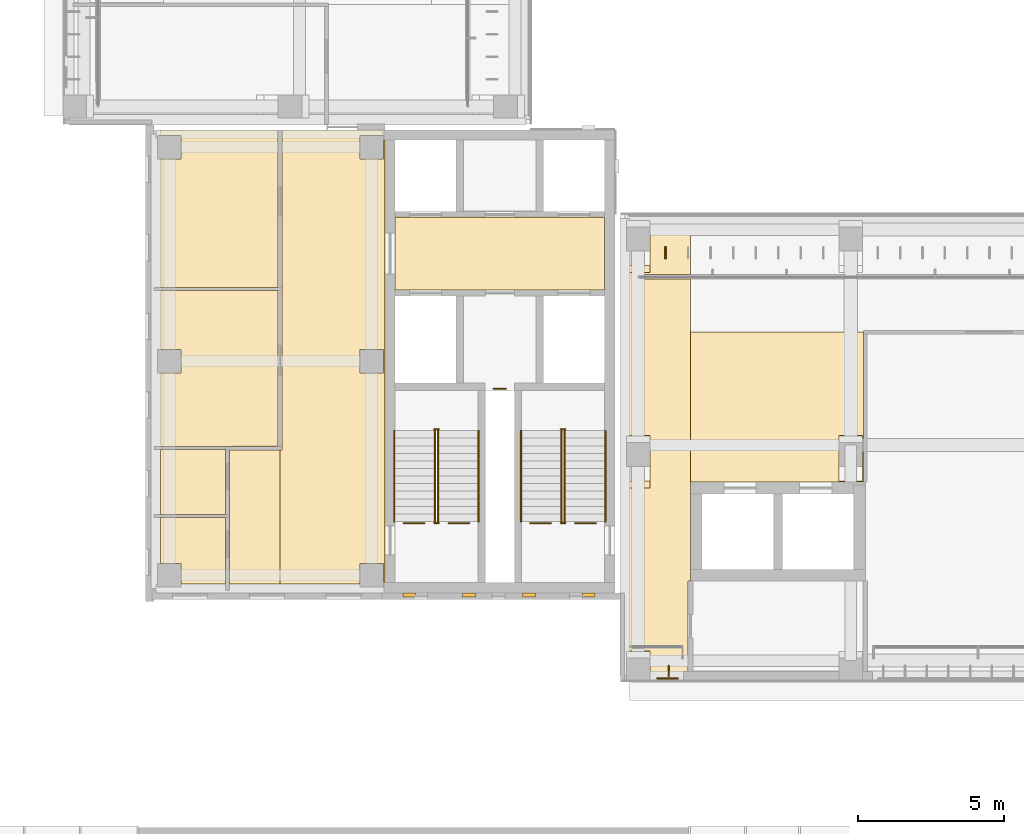
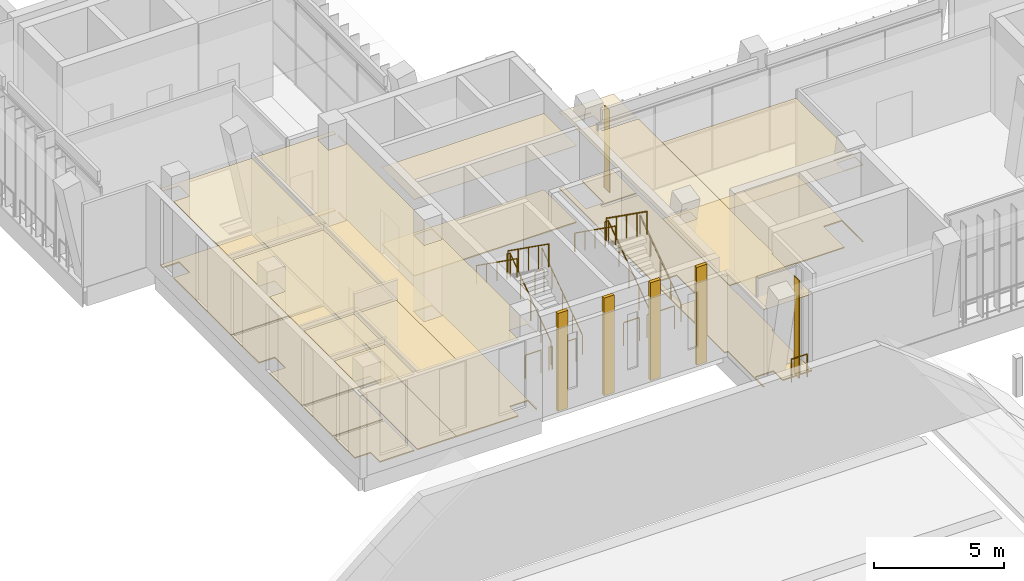
# One storey, part 70 of 89: 22 coverings, 18 railings, 2 shading devices.
"""IFC4 building model written with IfcOpenShell, lengths in metres."""

from ifc_helpers import new_model, si_unit, direction, frame, frame_2d, origin, origin_2d, place, context, subcontext, project, spatial, polyline, rectangle, circle, outline, extrude, material, layer, layer_set, type_object, element, save


model = new_model("IFC4")

# Units and contexts
model_context = context("Model", 3, precision=1e-05, world=origin(), true_north=direction((0.0, 1.0)))
body_context = subcontext(model_context, "Body", "Model", "MODEL_VIEW")
ifc_project = project(units=[si_unit("LENGTHUNIT", "METRE"), si_unit("AREAUNIT", "SQUARE_METRE"), si_unit("VOLUMEUNIT", "CUBIC_METRE"), si_unit("PLANEANGLEUNIT", "RADIAN"), si_unit("MASSUNIT", "GRAM", prefix="KILO")], contexts=[model_context])

# Site, building, storey
site_placement = place(None, origin())
site = spatial("IfcSite", under=ifc_project, at=site_placement, CompositionType="ELEMENT")
building_placement = place(site_placement, origin())
building = spatial("IfcBuilding", under=site, at=building_placement, Name="Lantern Court Media Centre", CompositionType="ELEMENT")
storey_placement = place(building_placement, frame((0.0, 0.0, 14.39990234375)))
storey = spatial("IfcBuildingStorey", under=building, at=storey_placement, Name="L03", CompositionType="ELEMENT", Elevation=14.39990234375)

# Coverings
ifc_material_1 = material(Name="Carpet")
ifc_layer_1 = layer(ifc_material_1, 0.050048828125)
ifc_layer_set_1 = layer_set([ifc_layer_1], Name="Carpet")
covering_type_1 = type_object("IfcCoveringType", Name="Carpet floor finish", PredefinedType="FLOORING", material=ifc_layer_set_1)
covering_1_placement = place(storey_placement, origin())
element("IfcCovering", 1, at=covering_1_placement, inside=storey, type_object=covering_type_1, Name="Media Library Reading Room 05 floor finish", PredefinedType="FLOORING", context=body_context, shape_type="SweptSolid", body=[
    extrude(outline(polyline([(8.300048828125, 58.381103515625), (12.33251953125, 58.381103515625), (12.33251953125, 53.03955078125), (8.300048828125, 53.027099609375), (8.300048828125, 55.544921875), (9.0048828125, 55.550048828125), (9.00390625, 56.353271484375), (8.300048828125, 56.35498046875), (8.300048828125, 58.381103515625)])), origin(), (0.0, 0.0, 1.0), 0.050048828125),
])
covering_2_placement = place(storey_placement, origin())
element("IfcCovering", 2, at=covering_2_placement, inside=storey, type_object=covering_type_1, Name="Media Library Reading Room 06 floor finish", PredefinedType="FLOORING", context=body_context, shape_type="SweptSolid", body=[
    extrude(outline(polyline([(8.300048828125, 63.89990234375), (12.33251953125, 63.89990234375), (12.33251953125, 58.490966796875), (8.300048828125, 58.490966796875), (8.300048828125, 62.89501953125), (9.0048828125, 62.89990234375), (9.004150390625, 63.702880859375), (8.300048828125, 63.705078125), (8.300048828125, 63.89990234375)])), origin(), (0.0, 0.0, 1.0), 0.050048828125),
])
covering_3_placement = place(storey_placement, origin())
element("IfcCovering", 3, at=covering_3_placement, inside=storey, type_object=covering_type_1, Name="WC Male floor finish", PredefinedType="FLOORING", context=body_context, shape_type="SweptSolid", body=[
    extrude(outline(polyline([(8.300048828125, 50.5810546875), (10.532470703125, 50.5810546875), (10.532470703125, 48.300048828125), (9.0048828125, 48.300048828125), (9.00341796875, 49.00341796875), (8.300048828125, 49.0048828125), (8.300048828125, 50.5810546875)])), origin(), (0.0, 0.0, 1.0), 0.050048828125),
])
covering_4_placement = place(storey_placement, origin())
element("IfcCovering", 4, at=covering_4_placement, inside=storey, type_object=covering_type_1, Name="WC Female floor finish", PredefinedType="FLOORING", context=body_context, shape_type="SweptSolid", body=[
    extrude(outline(polyline([(8.300048828125, 52.9169921875), (10.532470703125, 52.9169921875), (10.532470703125, 50.69091796875), (8.300048828125, 50.69091796875), (8.300048828125, 52.9169921875)])), origin(), (0.0, 0.0, 1.0), 0.050048828125),
])

# Railings
ifc_material_2 = material(Name="Powder-coated steel", Category="steel")
railing_type_1 = type_object("IfcRailingType", Name="Floor edge guard 1100", PredefinedType="GUARDRAIL", material=ifc_material_2)
railing_1_placement = place(storey_placement, frame((18.89990234375, 50.390380859375, 0.0)))
element("IfcRailing", 5, at=railing_1_placement, inside=storey, type_object=railing_type_1, Name="L03 opening guard 82", PredefinedType="GUARDRAIL", context=body_context, shape_type="SweptSolid", body=[
    extrude(circle(Radius=0.02392578125, at=origin_2d()), frame((0.0, 0.0, 1.076171875), z_axis=(-1.0, 0.0, 0.0), x_axis=(0.0, -1.0, 0.0)), (0.0, 0.0, 1.0), 0.70361328125),
    extrude(circle(Radius=0.02099609375, at=origin_2d()), origin(), (0.0, 0.0, 1.0), 1.052001953125),
    extrude(circle(Radius=0.02099609375, at=origin_2d()), frame((-0.70361328125, 0.0, 0.0)), (0.0, 0.0, 1.0), 1.052001953125),
])
railing_2_placement = place(storey_placement, frame((17.353759765625, 50.390380859375, 0.0)))
element("IfcRailing", 6, at=railing_2_placement, inside=storey, type_object=railing_type_1, Name="L03 opening guard 83", PredefinedType="GUARDRAIL", context=body_context, shape_type="SweptSolid", body=[
    extrude(circle(Radius=0.02392578125, at=origin_2d()), frame((0.0, 0.0, 1.076171875), z_axis=(-1.0, 0.0, 0.0), x_axis=(0.0, -1.0, 0.0)), (0.0, 0.0, 1.0), 0.703857421875),
    extrude(circle(Radius=0.02099609375, at=origin_2d()), origin(), (0.0, 0.0, 1.0), 1.052001953125),
    extrude(circle(Radius=0.02099609375, at=origin_2d()), frame((-0.703857421875, 0.0, 0.0)), (0.0, 0.0, 1.0), 1.052001953125),
])
for number, where, name in (
    (7, (23.25, 50.390380859375, 0.0), "L03 opening guard 84"),
    (8, (21.70361328125, 50.390380859375, 0.0), "L03 opening guard 85"),
):
    element("IfcRailing", number, at=place(storey_placement, frame(where)), inside=storey, type_object=railing_type_1, Name=name, PredefinedType="GUARDRAIL", context=body_context, shape_type="SweptSolid", body=[
        extrude(circle(Radius=0.02392578125, at=origin_2d()), frame((0.0, 0.0, 1.076171875), z_axis=(-1.0, 0.0, 0.0), x_axis=(0.0, -1.0, 0.0)), (0.0, 0.0, 1.0), 0.70361328125),
        extrude(circle(Radius=0.02099609375, at=origin_2d()), origin(), (0.0, 0.0, 1.0), 1.052001953125),
        extrude(circle(Radius=0.02099609375, at=origin_2d()), frame((-0.70361328125, 0.0, 0.0)), (0.0, 0.0, 1.0), 1.052001953125),
    ])
railing_3_placement = place(storey_placement, frame((20.14990234375, 55.010009765625, 0.0)))
element("IfcRailing", 9, at=railing_3_placement, inside=storey, type_object=railing_type_1, Name="L03 opening guard 86", PredefinedType="GUARDRAIL", context=body_context, shape_type="SweptSolid", body=[
    extrude(circle(Radius=0.02392578125, at=origin_2d()), frame((0.0, 0.0, 1.076171875), z_axis=(-1.0, 0.0, 0.0), x_axis=(0.0, -1.0, 0.0)), (0.0, 0.0, 1.0), 0.39990234375),
    extrude(circle(Radius=0.02099609375, at=origin_2d()), origin(), (0.0, 0.0, 1.0), 1.052001953125),
    extrude(circle(Radius=0.02099609375, at=origin_2d()), frame((-0.39990234375, 0.0, 0.0)), (0.0, 0.0, 1.0), 1.052001953125),
])
railing_4_placement = place(storey_placement, frame((26.05908203125, 45.06005859375, 0.0)))
element("IfcRailing", 10, at=railing_4_placement, inside=storey, type_object=railing_type_1, Name="L03 edge guard 83", PredefinedType="GUARDRAIL", context=body_context, shape_type="SweptSolid", body=[
    extrude(circle(Radius=0.02392578125, at=origin_2d()), frame((0.0, 0.0, 1.076171875), z_axis=(-1.0, 0.0, 0.0), x_axis=(0.0, -1.0, 0.0)), (0.0, 0.0, 1.0), 0.7001953125),
    extrude(circle(Radius=0.02099609375, at=origin_2d()), origin(), (0.0, 0.0, 1.0), 1.052001953125),
    extrude(circle(Radius=0.02099609375, at=origin_2d()), frame((-0.7001953125, 0.0, 0.0)), (0.0, 0.0, 1.0), 1.052001953125),
])

# Coverings
ifc_material_3 = material(Name="Honed limestone cladding", Category="masonry")
ifc_layer_2 = layer(ifc_material_3, 0.14990234375)
ifc_layer_set_2 = layer_set([ifc_layer_2], Name="Honed limestone cladding")
covering_type_2 = type_object("IfcCoveringType", Name="Limestone pilaster cladding 150", PredefinedType="CLADDING", material=ifc_layer_set_2)
for number, where, z_axis, x_axis, name in (
    (11, (16.625, 47.925048828125, 0.0), (0.0, 0.0, 1.0), (1.0, 0.0, 0.0), "Limestone pilaster rib"),
    (12, (18.675048828125, 47.925048828125, 0.0), (0.0, 0.0, 1.0), (1.0, 0.0, 0.0), "Limestone pilaster rib"),
    (13, (20.72509765625, 47.925048828125, 0.0), (0.0, 0.0, 1.0), (1.0, 0.0, 0.0), "Limestone pilaster rib"),
):
    element("IfcCovering", number, at=place(storey_placement, frame(where, z_axis=z_axis, x_axis=x_axis)), inside=storey, type_object=covering_type_2, Name=name, PredefinedType="CLADDING", context=body_context, shape_type="SweptSolid", body=[
        extrude(rectangle(XDim=0.449951171875, YDim=0.14990234375, at=frame_2d((0.22509765625, 0.0))), origin(), (0.0, 0.0, 1.0), 4.580078125),
    ])
covering_5_placement = place(storey_placement, frame((22.77490234375, 47.925048828125, 0.0), z_axis=(0.0, 0.0, 1.0), x_axis=(1.0, 0.0, 0.0)))
element("IfcCovering", 14, at=covering_5_placement, inside=storey, type_object=covering_type_2, Name="Limestone pilaster rib", PredefinedType="CLADDING", context=body_context, shape_type="SweptSolid", body=[
    extrude(rectangle(XDim=0.4501953125, YDim=0.14990234375, at=frame_2d((0.22509765625, 0.0))), origin(), (0.0, 0.0, 1.0), 4.580078125),
])

# Railings
railing_type_2 = type_object("IfcRailingType", Name="Stair guard 1100", PredefinedType="GUARDRAIL", material=ifc_material_2)
railing_5_placement = place(storey_placement, frame((17.825927734375, 50.449951171875, 0.184814453125)))
element("IfcRailing", 15, at=railing_5_placement, inside=storey, type_object=railing_type_2, Name="L03 ST-SWA stair guard 1", PredefinedType="GUARDRAIL", context=body_context, shape_type="SweptSolid", body=[
    extrude(circle(Radius=0.02392578125, at=origin_2d()), frame((0.0, 0.0, 1.076171875), z_axis=(0.0, 0.815376961211, 0.578930402662), x_axis=(-1.0, 0.0, 0.0)), (0.0, 0.0, 1.0), 3.82666015625),
    extrude(circle(Radius=0.02099609375, at=origin_2d()), origin(), (0.0, 0.0, 1.0), 1.052001953125),
    extrude(circle(Radius=0.02099609375, at=origin_2d()), frame((0.0, 0.780029296875, 0.5537109375)), (0.0, 0.0, 1.0), 1.052001953125),
    extrude(circle(Radius=0.02099609375, at=origin_2d()), frame((0.0, 1.56005859375, 1.107666015625)), (0.0, 0.0, 1.0), 1.052001953125),
    extrude(circle(Radius=0.02099609375, at=origin_2d()), frame((0.0, 2.340087890625, 1.66162109375)), (0.0, 0.0, 1.0), 1.052001953125),
    extrude(circle(Radius=0.02099609375, at=origin_2d()), frame((0.0, 3.1201171875, 2.21533203125)), (0.0, 0.0, 1.0), 1.052001953125),
])
railing_6_placement = place(storey_placement, frame((17.85009765625, 53.6201171875, 2.400146484375)))
element("IfcRailing", 16, at=railing_6_placement, inside=storey, type_object=railing_type_2, Name="L03 ST-SWA stair guard 2", PredefinedType="GUARDRAIL", context=body_context, shape_type="SweptSolid", body=[
    extrude(circle(Radius=0.02392578125, at=origin_2d()), frame((0.0, 0.0, 1.076171875), z_axis=(-1.0, 0.0, 0.0), x_axis=(0.0, -1.0, 0.0)), (0.0, 0.0, 1.0), 0.150146484375),
    extrude(circle(Radius=0.02099609375, at=origin_2d()), origin(), (0.0, 0.0, 1.0), 1.052001953125),
    extrude(circle(Radius=0.02099609375, at=origin_2d()), frame((-0.150146484375, 0.0, 0.0)), (0.0, 0.0, 1.0), 1.052001953125),
])
railing_7_placement = place(storey_placement, frame((17.72412109375, 53.570068359375, 2.584716796875)))
element("IfcRailing", 17, at=railing_7_placement, inside=storey, type_object=railing_type_2, Name="L03 ST-SWA stair guard 3", PredefinedType="GUARDRAIL", context=body_context, shape_type="SweptSolid", body=[
    extrude(circle(Radius=0.02392578125, at=origin_2d()), frame((0.0, 0.0, 1.076171875), z_axis=(0.0, -0.815376961211, 0.578930402662), x_axis=(1.0, 0.0, 0.0)), (0.0, 0.0, 1.0), 3.82666015625),
    extrude(circle(Radius=0.02099609375, at=origin_2d()), origin(), (0.0, 0.0, 1.0), 1.052001953125),
    extrude(circle(Radius=0.02099609375, at=origin_2d()), frame((0.0, -0.780029296875, 0.5537109375)), (0.0, 0.0, 1.0), 1.052001953125),
    extrude(circle(Radius=0.02099609375, at=origin_2d()), frame((0.0, -1.56005859375, 1.107666015625)), (0.0, 0.0, 1.0), 1.052001953125),
    extrude(circle(Radius=0.02099609375, at=origin_2d()), frame((0.0, -2.340087890625, 1.66162109375)), (0.0, 0.0, 1.0), 1.052001953125),
    extrude(circle(Radius=0.02099609375, at=origin_2d()), frame((0.0, -3.1201171875, 2.21533203125)), (0.0, 0.0, 1.0), 1.052001953125),
])
railing_8_placement = place(storey_placement, frame((17.85009765625, 50.39990234375, 0.0)))
element("IfcRailing", 18, at=railing_8_placement, inside=storey, type_object=railing_type_2, Name="L03 ST-SWA stair guard 4", PredefinedType="GUARDRAIL", context=body_context, shape_type="SweptSolid", body=[
    extrude(circle(Radius=0.02392578125, at=origin_2d()), frame((0.0, 0.0, 1.076171875), z_axis=(-1.0, 0.0, 0.0), x_axis=(0.0, -1.0, 0.0)), (0.0, 0.0, 1.0), 0.150146484375),
    extrude(circle(Radius=0.02099609375, at=origin_2d()), origin(), (0.0, 0.0, 1.0), 1.052001953125),
    extrude(circle(Radius=0.02099609375, at=origin_2d()), frame((-0.150146484375, 0.0, 0.0)), (0.0, 0.0, 1.0), 1.052001953125),
])
railing_9_placement = place(storey_placement, frame((22.176025390625, 50.449951171875, 0.184814453125)))
element("IfcRailing", 19, at=railing_9_placement, inside=storey, type_object=railing_type_2, Name="L03 ST-SWB stair guard 1", PredefinedType="GUARDRAIL", context=body_context, shape_type="SweptSolid", body=[
    extrude(circle(Radius=0.02392578125, at=origin_2d()), frame((0.0, 0.0, 1.076171875), z_axis=(0.0, 0.815376961211, 0.578930402662), x_axis=(-1.0, 0.0, 0.0)), (0.0, 0.0, 1.0), 3.82666015625),
    extrude(circle(Radius=0.02099609375, at=origin_2d()), origin(), (0.0, 0.0, 1.0), 1.052001953125),
    extrude(circle(Radius=0.02099609375, at=origin_2d()), frame((0.0, 0.780029296875, 0.5537109375)), (0.0, 0.0, 1.0), 1.052001953125),
    extrude(circle(Radius=0.02099609375, at=origin_2d()), frame((0.0, 1.56005859375, 1.107666015625)), (0.0, 0.0, 1.0), 1.052001953125),
    extrude(circle(Radius=0.02099609375, at=origin_2d()), frame((0.0, 2.340087890625, 1.66162109375)), (0.0, 0.0, 1.0), 1.052001953125),
    extrude(circle(Radius=0.02099609375, at=origin_2d()), frame((0.0, 3.1201171875, 2.21533203125)), (0.0, 0.0, 1.0), 1.052001953125),
])
railing_10_placement = place(storey_placement, frame((22.199951171875, 53.6201171875, 2.400146484375)))
element("IfcRailing", 20, at=railing_10_placement, inside=storey, type_object=railing_type_2, Name="L03 ST-SWB stair guard 2", PredefinedType="GUARDRAIL", context=body_context, shape_type="SweptSolid", body=[
    extrude(circle(Radius=0.02392578125, at=origin_2d()), frame((0.0, 0.0, 1.076171875), z_axis=(-1.0, 0.0, 0.0), x_axis=(0.0, -1.0, 0.0)), (0.0, 0.0, 1.0), 0.14990234375),
    extrude(circle(Radius=0.02099609375, at=origin_2d()), origin(), (0.0, 0.0, 1.0), 1.052001953125),
    extrude(circle(Radius=0.02099609375, at=origin_2d()), frame((-0.14990234375, 0.0, 0.0)), (0.0, 0.0, 1.0), 1.052001953125),
])
railing_11_placement = place(storey_placement, frame((22.073974609375, 53.570068359375, 2.584716796875)))
element("IfcRailing", 21, at=railing_11_placement, inside=storey, type_object=railing_type_2, Name="L03 ST-SWB stair guard 3", PredefinedType="GUARDRAIL", context=body_context, shape_type="SweptSolid", body=[
    extrude(circle(Radius=0.02392578125, at=origin_2d()), frame((0.0, 0.0, 1.076171875), z_axis=(0.0, -0.815376961211, 0.578930402662), x_axis=(1.0, 0.0, 0.0)), (0.0, 0.0, 1.0), 3.82666015625),
    extrude(circle(Radius=0.02099609375, at=origin_2d()), origin(), (0.0, 0.0, 1.0), 1.052001953125),
    extrude(circle(Radius=0.02099609375, at=origin_2d()), frame((0.0, -0.780029296875, 0.5537109375)), (0.0, 0.0, 1.0), 1.052001953125),
    extrude(circle(Radius=0.02099609375, at=origin_2d()), frame((0.0, -1.56005859375, 1.107666015625)), (0.0, 0.0, 1.0), 1.052001953125),
    extrude(circle(Radius=0.02099609375, at=origin_2d()), frame((0.0, -2.340087890625, 1.66162109375)), (0.0, 0.0, 1.0), 1.052001953125),
    extrude(circle(Radius=0.02099609375, at=origin_2d()), frame((0.0, -3.1201171875, 2.21533203125)), (0.0, 0.0, 1.0), 1.052001953125),
])
railing_12_placement = place(storey_placement, frame((22.199951171875, 50.39990234375, 0.0)))
element("IfcRailing", 22, at=railing_12_placement, inside=storey, type_object=railing_type_2, Name="L03 ST-SWB stair guard 4", PredefinedType="GUARDRAIL", context=body_context, shape_type="SweptSolid", body=[
    extrude(circle(Radius=0.02392578125, at=origin_2d()), frame((0.0, 0.0, 1.076171875), z_axis=(-1.0, 0.0, 0.0), x_axis=(0.0, -1.0, 0.0)), (0.0, 0.0, 1.0), 0.14990234375),
    extrude(circle(Radius=0.02099609375, at=origin_2d()), origin(), (0.0, 0.0, 1.0), 1.052001953125),
    extrude(circle(Radius=0.02099609375, at=origin_2d()), frame((-0.14990234375, 0.0, 0.0)), (0.0, 0.0, 1.0), 1.052001953125),
])
railing_type_3 = type_object("IfcRailingType", Name="Stair handrail 900", PredefinedType="HANDRAIL", material=ifc_material_2)
railing_13_placement = place(storey_placement, frame((19.22412109375, 50.449951171875, 0.184814453125)))
element("IfcRailing", 23, at=railing_13_placement, inside=storey, type_object=railing_type_3, Name="L03 ST-SWA stair handrail 1", PredefinedType="HANDRAIL", context=body_context, shape_type="SweptSolid", body=[
    extrude(circle(Radius=0.02392578125, at=origin_2d()), frame((0.0, 0.0, 0.8759765625), z_axis=(0.0, 0.815376961211, 0.578930402662), x_axis=(-1.0, 0.0, 0.0)), (0.0, 0.0, 1.0), 3.82666015625),
    extrude(circle(Radius=0.02099609375, at=origin_2d()), origin(), (0.0, 0.0, 1.0), 0.851806640625),
    extrude(circle(Radius=0.02099609375, at=origin_2d()), frame((0.0, 0.780029296875, 0.5537109375)), (0.0, 0.0, 1.0), 0.851806640625),
    extrude(circle(Radius=0.02099609375, at=origin_2d()), frame((0.0, 1.56005859375, 1.107666015625)), (0.0, 0.0, 1.0), 0.851806640625),
    extrude(circle(Radius=0.02099609375, at=origin_2d()), frame((0.0, 2.340087890625, 1.66162109375)), (0.0, 0.0, 1.0), 0.851806640625),
    extrude(circle(Radius=0.02099609375, at=origin_2d()), frame((0.0, 3.1201171875, 2.21533203125)), (0.0, 0.0, 1.0), 0.851806640625),
])
railing_14_placement = place(storey_placement, frame((16.325927734375, 53.570068359375, 2.584716796875)))
element("IfcRailing", 24, at=railing_14_placement, inside=storey, type_object=railing_type_3, Name="L03 ST-SWA stair handrail 2", PredefinedType="HANDRAIL", context=body_context, shape_type="SweptSolid", body=[
    extrude(circle(Radius=0.02392578125, at=origin_2d()), frame((0.0, 0.0, 0.8759765625), z_axis=(0.0, -0.815376961211, 0.578930402662), x_axis=(1.0, 0.0, 0.0)), (0.0, 0.0, 1.0), 3.82666015625),
    extrude(circle(Radius=0.02099609375, at=origin_2d()), origin(), (0.0, 0.0, 1.0), 0.851806640625),
    extrude(circle(Radius=0.02099609375, at=origin_2d()), frame((0.0, -0.780029296875, 0.5537109375)), (0.0, 0.0, 1.0), 0.851806640625),
    extrude(circle(Radius=0.02099609375, at=origin_2d()), frame((0.0, -1.56005859375, 1.107666015625)), (0.0, 0.0, 1.0), 0.851806640625),
    extrude(circle(Radius=0.02099609375, at=origin_2d()), frame((0.0, -2.340087890625, 1.66162109375)), (0.0, 0.0, 1.0), 0.851806640625),
    extrude(circle(Radius=0.02099609375, at=origin_2d()), frame((0.0, -3.1201171875, 2.21533203125)), (0.0, 0.0, 1.0), 0.851806640625),
])
railing_15_placement = place(storey_placement, frame((23.573974609375, 50.449951171875, 0.184814453125)))
element("IfcRailing", 25, at=railing_15_placement, inside=storey, type_object=railing_type_3, Name="L03 ST-SWB stair handrail 1", PredefinedType="HANDRAIL", context=body_context, shape_type="SweptSolid", body=[
    extrude(circle(Radius=0.02392578125, at=origin_2d()), frame((0.0, 0.0, 0.8759765625), z_axis=(0.0, 0.815376961211, 0.578930402662), x_axis=(-1.0, 0.0, 0.0)), (0.0, 0.0, 1.0), 3.82666015625),
    extrude(circle(Radius=0.02099609375, at=origin_2d()), origin(), (0.0, 0.0, 1.0), 0.851806640625),
    extrude(circle(Radius=0.02099609375, at=origin_2d()), frame((0.0, 0.780029296875, 0.5537109375)), (0.0, 0.0, 1.0), 0.851806640625),
    extrude(circle(Radius=0.02099609375, at=origin_2d()), frame((0.0, 1.56005859375, 1.107666015625)), (0.0, 0.0, 1.0), 0.851806640625),
    extrude(circle(Radius=0.02099609375, at=origin_2d()), frame((0.0, 2.340087890625, 1.66162109375)), (0.0, 0.0, 1.0), 0.851806640625),
    extrude(circle(Radius=0.02099609375, at=origin_2d()), frame((0.0, 3.1201171875, 2.21533203125)), (0.0, 0.0, 1.0), 0.851806640625),
])
railing_16_placement = place(storey_placement, frame((20.676025390625, 53.570068359375, 2.584716796875)))
element("IfcRailing", 26, at=railing_16_placement, inside=storey, type_object=railing_type_3, Name="L03 ST-SWB stair handrail 2", PredefinedType="HANDRAIL", context=body_context, shape_type="SweptSolid", body=[
    extrude(circle(Radius=0.02392578125, at=origin_2d()), frame((0.0, 0.0, 0.8759765625), z_axis=(0.0, -0.815376961211, 0.578930402662), x_axis=(1.0, 0.0, 0.0)), (0.0, 0.0, 1.0), 3.82666015625),
    extrude(circle(Radius=0.02099609375, at=origin_2d()), origin(), (0.0, 0.0, 1.0), 0.851806640625),
    extrude(circle(Radius=0.02099609375, at=origin_2d()), frame((0.0, -0.780029296875, 0.5537109375)), (0.0, 0.0, 1.0), 0.851806640625),
    extrude(circle(Radius=0.02099609375, at=origin_2d()), frame((0.0, -1.56005859375, 1.107666015625)), (0.0, 0.0, 1.0), 0.851806640625),
    extrude(circle(Radius=0.02099609375, at=origin_2d()), frame((0.0, -2.340087890625, 1.66162109375)), (0.0, 0.0, 1.0), 0.851806640625),
    extrude(circle(Radius=0.02099609375, at=origin_2d()), frame((0.0, -3.1201171875, 2.21533203125)), (0.0, 0.0, 1.0), 0.851806640625),
])

# Coverings
ifc_material_4 = material(Name="Mineral fibre ceiling tile")
ifc_layer_3 = layer(ifc_material_4, 0.02001953125)
ifc_layer_set_3 = layer_set([ifc_layer_3], Name="Mineral fibre ceiling tile")
covering_type_3 = type_object("IfcCoveringType", Name="Suspended ceiling tile", PredefinedType="CEILING", material=ifc_layer_set_3)
covering_6_placement = place(storey_placement, frame((0.0, 0.0, 3.60009765625)))
element("IfcCovering", 27, at=covering_6_placement, inside=storey, type_object=covering_type_3, Name="End Lobby ceiling", PredefinedType="CEILING", context=body_context, shape_type="SweptSolid", body=[
    extrude(outline(polyline([(26.5, 58.7744140625), (26.49951171875, 48.400390625), (26.41943359375, 48.39990234375), (26.41943359375, 45.300537109375), (24.240478515625, 45.300048828125), (24.240478515625, 48.0), (24.10009765625, 48.00048828125), (24.10009765625, 60.699951171875), (26.5, 60.699951171875), (26.5, 58.925537109375), (24.8994140625, 58.925048828125), (24.89990234375, 58.7744140625), (26.5, 58.7744140625)]), holes=[polyline([(25.10009765625, 59.99951171875), (25.10009765625, 60.04833984375), (24.299560546875, 60.0478515625), (24.300048828125, 59.99951171875), (25.10009765625, 59.99951171875)]), polyline([(25.10009765625, 52.599609375), (25.10009765625, 52.6484375), (24.299560546875, 52.64794921875), (24.300048828125, 52.599609375), (25.10009765625, 52.599609375)]), polyline([(25.1005859375, 52.39990234375), (24.2998046875, 52.400390625), (24.299560546875, 51.84765625), (25.100341796875, 51.847412109375), (25.1005859375, 52.39990234375)]), polyline([(25.1005859375, 59.800048828125), (24.2998046875, 59.800537109375), (24.299560546875, 59.24755859375), (25.100341796875, 59.24755859375), (25.1005859375, 59.800048828125)])]), origin(), (0.0, 0.0, 1.0), 0.02001953125),
])
covering_7_placement = place(storey_placement, frame((0.0, 0.0, 3.60009765625)))
element("IfcCovering", 28, at=covering_7_placement, inside=storey, type_object=covering_type_3, Name="Lift Lobby ceiling", PredefinedType="CEILING", context=body_context, shape_type="SweptSolid", body=[
    extrude(outline(polyline([(26.5, 56.949951171875), (32.43701171875, 56.949951171875), (32.43701171875, 51.800537109375), (26.5, 51.800537109375), (26.5, 56.949951171875)]), holes=[polyline([(32.39990234375, 51.847412109375), (32.400390625, 52.400390625), (31.599609375, 52.400390625), (31.599609375, 51.847412109375), (32.39990234375, 51.847412109375)]), polyline([(32.39990234375, 52.599609375), (32.400146484375, 52.6484375), (31.599609375, 52.64794921875), (31.599853515625, 52.599609375), (32.39990234375, 52.599609375)])]), origin(), (0.0, 0.0, 1.0), 0.02001953125),
])
covering_8_placement = place(storey_placement, frame((0.0, 0.0, 3.60009765625)))
element("IfcCovering", 29, at=covering_8_placement, inside=storey, type_object=covering_type_3, Name="Lift Lobby ceiling", PredefinedType="CEILING", context=body_context, shape_type="SweptSolid", body=[
    extrude(outline(polyline([(16.3505859375, 60.8994140625), (23.549560546875, 60.8994140625), (23.549560546875, 58.400390625), (16.3505859375, 58.400390625), (16.3505859375, 60.8994140625)])), origin(), (0.0, 0.0, 1.0), 0.02001953125),
])
covering_9_placement = place(storey_placement, frame((0.0, 0.0, 3.60009765625)))
element("IfcCovering", 30, at=covering_9_placement, inside=storey, type_object=covering_type_3, Name="Corridor ceiling", PredefinedType="CEILING", context=body_context, shape_type="SweptSolid", body=[
    extrude(outline(polyline([(12.462890625, 63.89990234375), (15.949462890625, 63.8994140625), (15.949462890625, 63.700439453125), (15.149658203125, 63.700439453125), (15.14990234375, 62.8994140625), (15.950439453125, 62.899658203125), (15.950439453125, 63.549560546875), (15.99951171875, 63.549560546875), (15.99951171875, 48.3505859375), (15.950439453125, 48.3505859375), (15.950439453125, 49.00048828125), (15.14990234375, 49.00048828125), (15.1494140625, 48.300048828125), (12.39990234375, 48.300048828125), (12.39990234375, 52.908935546875), (12.462890625, 52.909423828125), (12.462890625, 63.89990234375)]), holes=[polyline([(15.949951171875, 55.549560546875), (15.950439453125, 56.350341796875), (15.149658203125, 56.350341796875), (15.149658203125, 55.549560546875), (15.949951171875, 55.549560546875)])]), origin(), (0.0, 0.0, 1.0), 0.02001953125),
])
covering_10_placement = place(storey_placement, frame((0.0, 0.0, 3.60009765625)))
element("IfcCovering", 31, at=covering_10_placement, inside=storey, type_object=covering_type_3, Name="Media Library Reading Room 05 ceiling", PredefinedType="CEILING", context=body_context, shape_type="SweptSolid", body=[
    extrude(outline(polyline([(8.300048828125, 58.385498046875), (12.3369140625, 58.385498046875), (12.3369140625, 53.034912109375), (8.300048828125, 53.0224609375), (8.300048828125, 55.549560546875), (9.00048828125, 55.550048828125), (9.00048828125, 56.350341796875), (8.300048828125, 56.3505859375), (8.300048828125, 58.385498046875)])), origin(), (0.0, 0.0, 1.0), 0.02001953125),
])
covering_11_placement = place(storey_placement, frame((0.0, 0.0, 3.60009765625)))
element("IfcCovering", 32, at=covering_11_placement, inside=storey, type_object=covering_type_3, Name="Media Library Reading Room 06 ceiling", PredefinedType="CEILING", context=body_context, shape_type="SweptSolid", body=[
    extrude(outline(polyline([(8.300048828125, 63.89990234375), (12.3369140625, 63.89990234375), (12.3369140625, 58.486572265625), (8.300048828125, 58.486572265625), (8.300048828125, 62.8994140625), (9.00048828125, 62.89990234375), (9.00048828125, 63.7001953125), (8.300048828125, 63.700439453125), (8.300048828125, 63.89990234375)])), origin(), (0.0, 0.0, 1.0), 0.02001953125),
])
covering_12_placement = place(storey_placement, frame((0.0, 0.0, 3.60009765625)))
element("IfcCovering", 33, at=covering_12_placement, inside=storey, type_object=covering_type_3, Name="WC Lobby ceiling", PredefinedType="CEILING", context=body_context, shape_type="SweptSolid", body=[
    extrude(outline(polyline([(12.39990234375, 48.300048828125), (10.6630859375, 48.300048828125), (10.6630859375, 52.908935546875), (12.39990234375, 52.908935546875), (12.39990234375, 48.300048828125)])), origin(), (0.0, 0.0, 1.0), 0.02001953125),
])
covering_13_placement = place(storey_placement, frame((0.0, 0.0, 3.60009765625)))
element("IfcCovering", 34, at=covering_13_placement, inside=storey, type_object=covering_type_3, Name="WC Male ceiling", PredefinedType="CEILING", context=body_context, shape_type="SweptSolid", body=[
    extrude(outline(polyline([(8.300048828125, 50.58544921875), (10.537109375, 50.58544921875), (10.537109375, 48.300048828125), (9.00048828125, 48.300048828125), (9.000244140625, 49.000244140625), (8.300048828125, 49.00048828125), (8.300048828125, 50.58544921875)])), origin(), (0.0, 0.0, 1.0), 0.02001953125),
])
covering_14_placement = place(storey_placement, frame((0.0, 0.0, 3.60009765625)))
element("IfcCovering", 35, at=covering_14_placement, inside=storey, type_object=covering_type_3, Name="WC Female ceiling", PredefinedType="CEILING", context=body_context, shape_type="SweptSolid", body=[
    extrude(outline(polyline([(8.300048828125, 52.92138671875), (10.537109375, 52.92138671875), (10.537109375, 50.6865234375), (8.300048828125, 50.6865234375), (8.300048828125, 52.92138671875)])), origin(), (0.0, 0.0, 1.0), 0.02001953125),
])
ifc_material_5 = material(Name="Terrazzo")
ifc_layer_4 = layer(ifc_material_5, 0.050048828125)
ifc_layer_set_4 = layer_set([ifc_layer_4], Name="Terrazzo")
covering_type_4 = type_object("IfcCoveringType", Name="Terrazzo floor finish", PredefinedType="FLOORING", material=ifc_layer_set_4)
covering_15_placement = place(storey_placement, origin())
element("IfcCovering", 36, at=covering_15_placement, inside=storey, type_object=covering_type_4, Name="End Lobby floor finish", PredefinedType="FLOORING", context=body_context, shape_type="SweptSolid", body=[
    extrude(outline(polyline([(26.5, 58.77001953125), (26.4951171875, 48.405029296875), (26.4150390625, 48.39990234375), (26.4150390625, 45.304931640625), (25.10498046875, 45.300048828125), (25.103271484375, 46.00390625), (24.300048828125, 46.0048828125), (24.294921875, 45.300048828125), (24.2451171875, 45.300048828125), (24.244873046875, 48.00048828125), (24.10009765625, 48.0048828125), (24.10009765625, 60.699951171875), (24.294921875, 60.699951171875), (24.300048828125, 58.9951171875), (25.104736328125, 58.998046875), (25.10498046875, 60.699951171875), (26.5, 60.699951171875), (26.5, 58.929931640625), (24.89501953125, 58.925048828125), (24.8994140625, 58.77001953125), (26.5, 58.77001953125)]), holes=[polyline([(24.294921875, 51.60009765625), (25.104736328125, 51.59814453125), (25.101806640625, 53.404541015625), (24.29541015625, 53.40185546875), (24.294921875, 51.60009765625)])]), origin(), (0.0, 0.0, 1.0), 0.050048828125),
])
covering_16_placement = place(storey_placement, origin())
element("IfcCovering", 37, at=covering_16_placement, inside=storey, type_object=covering_type_4, Name="Lift Lobby floor finish", PredefinedType="FLOORING", context=body_context, shape_type="SweptSolid", body=[
    extrude(outline(polyline([(26.5, 56.949951171875), (32.4326171875, 56.949951171875), (32.4326171875, 51.804931640625), (32.405029296875, 51.804931640625), (32.39990234375, 53.405029296875), (31.595703125, 53.40234375), (31.594970703125, 51.804931640625), (26.5, 51.804931640625), (26.5, 56.949951171875)])), origin(), (0.0, 0.0, 1.0), 0.050048828125),
])
covering_17_placement = place(storey_placement, origin())
element("IfcCovering", 38, at=covering_17_placement, inside=storey, type_object=covering_type_4, Name="Lift Lobby floor finish", PredefinedType="FLOORING", context=body_context, shape_type="SweptSolid", body=[
    extrude(outline(polyline([(16.35498046875, 60.89501953125), (23.544921875, 60.89501953125), (23.544921875, 58.405029296875), (16.35498046875, 58.405029296875), (16.35498046875, 60.89501953125)])), origin(), (0.0, 0.0, 1.0), 0.050048828125),
])
covering_18_placement = place(storey_placement, origin())
element("IfcCovering", 39, at=covering_18_placement, inside=storey, type_object=covering_type_4, Name="Corridor floor finish", PredefinedType="FLOORING", context=body_context, shape_type="SweptSolid", body=[
    extrude(outline(polyline([(12.467529296875, 63.89990234375), (15.945068359375, 63.89501953125), (15.945068359375, 63.705078125), (15.146240234375, 63.703125), (15.14892578125, 62.89501953125), (15.953125, 62.896240234375), (15.955078125, 63.544921875), (15.9951171875, 63.544921875), (15.9951171875, 48.35498046875), (15.955078125, 48.35498046875), (15.953125, 49.00390625), (15.14990234375, 49.0048828125), (15.14501953125, 48.300048828125), (12.39990234375, 48.300048828125), (12.39990234375, 52.904541015625), (12.467529296875, 52.909423828125), (12.467529296875, 63.89990234375)]), holes=[polyline([(15.949951171875, 55.544921875), (15.95361328125, 56.353515625), (15.146484375, 56.353515625), (15.146484375, 55.54638671875), (15.949951171875, 55.544921875)])]), origin(), (0.0, 0.0, 1.0), 0.050048828125),
])
covering_19_placement = place(storey_placement, origin())
element("IfcCovering", 40, at=covering_19_placement, inside=storey, type_object=covering_type_4, Name="WC Lobby floor finish", PredefinedType="FLOORING", context=body_context, shape_type="SweptSolid", body=[
    extrude(outline(polyline([(12.39990234375, 48.300048828125), (10.66748046875, 48.300048828125), (10.66748046875, 52.904541015625), (12.39990234375, 52.904541015625), (12.39990234375, 48.300048828125)])), origin(), (0.0, 0.0, 1.0), 0.050048828125),
])

# Shading devices
ifc_material_6 = material(Name="Bronze anodised aluminium louvre", Category="aluminium")
ifc_layer_5 = layer(ifc_material_6, 0.0400390625)
ifc_layer_set_5 = layer_set([ifc_layer_5], Name="Bronze anodised aluminium louvre")
shading_device_type_1 = type_object("IfcShadingDeviceType", Name="Vertical louvre 40x400 full storey", PredefinedType="USERDEFINED", material=ifc_layer_set_5)
shading_device_1_placement = place(storey_placement, frame((25.75, 45.320068359375, 0.0), z_axis=(0.0, 0.0, 1.0), x_axis=(1.0, 0.0, 0.0)))
element("IfcShadingDevice", 41, at=shading_device_1_placement, inside=storey, type_object=shading_device_type_1, Name="Vertical louvre S outer L03", ObjectType="VERTICAL LOUVRE", PredefinedType="USERDEFINED", context=body_context, shape_type="SweptSolid", body=[
    extrude(rectangle(XDim=0.0400390625, YDim=0.39990234375, at=origin_2d()), origin(), (0.0, 0.0, 1.0), 4.580078125),
])
ifc_layer_6 = layer(ifc_material_6, 0.0400390625)
ifc_layer_set_6 = layer_set([ifc_layer_6], Name="Bronze anodised aluminium louvre")
shading_device_type_2 = type_object("IfcShadingDeviceType", Name="Vertical louvre 40x400 under beam", PredefinedType="USERDEFINED", material=ifc_layer_set_6)
shading_device_2_placement = place(storey_placement, frame((25.637451171875, 59.679931640625, 0.000244140625), z_axis=(0.0, 0.0, 1.0), x_axis=(1.0, 0.0, 0.0)))
element("IfcShadingDevice", 42, at=shading_device_2_placement, inside=storey, type_object=shading_device_type_2, Name="Vertical louvre S inner L03", ObjectType="VERTICAL LOUVRE", PredefinedType="USERDEFINED", context=body_context, shape_type="SweptSolid", body=[
    extrude(rectangle(XDim=0.0400390625, YDim=0.39990234375, at=origin_2d()), origin(), (0.0, 0.0, 1.0), 3.89990234375),
])

save(model, "model.ifc")
